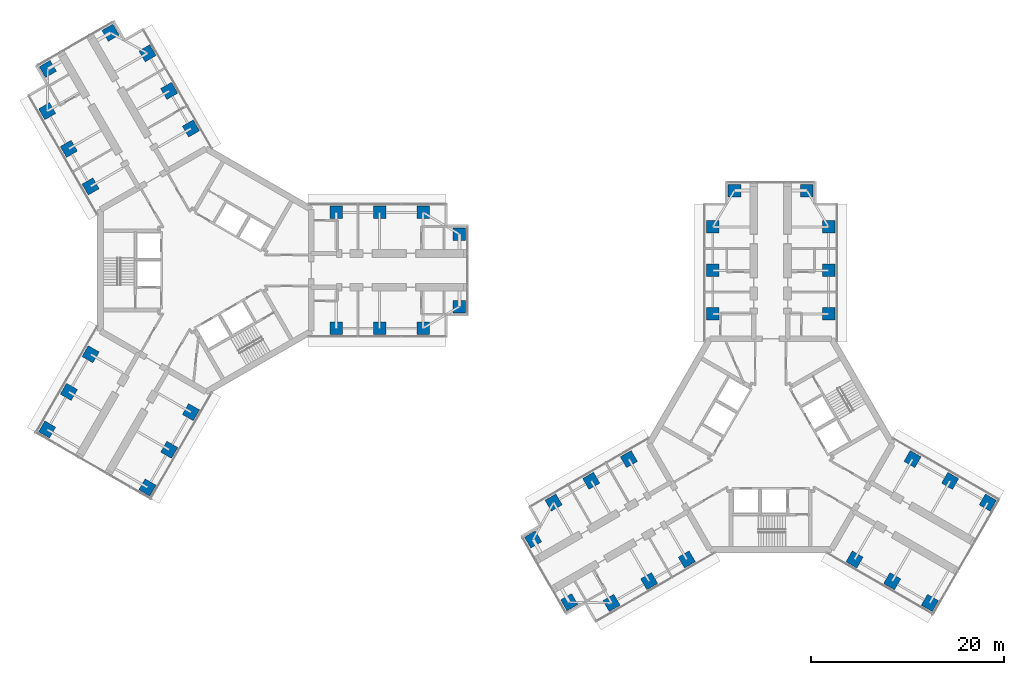
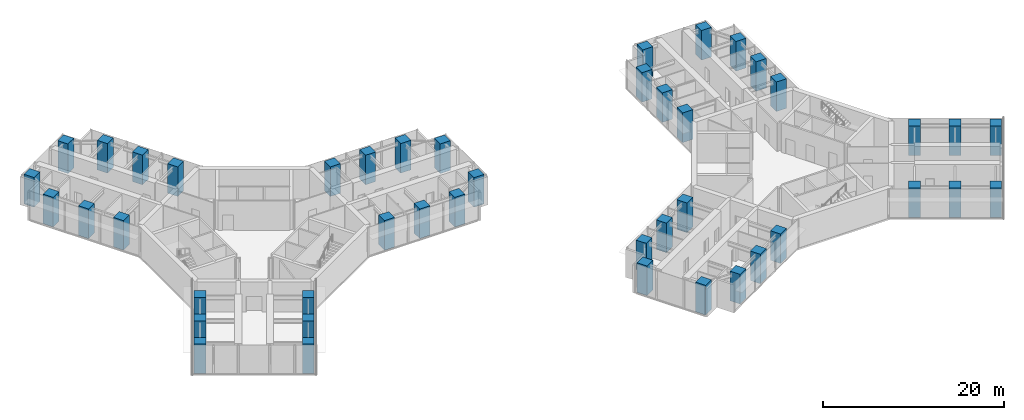
# One storey, part 1 of 22: 44 columns.
"""IFC4 building model written with IfcOpenShell, lengths in metres."""

from ifc_helpers import new_model, si_unit, direction, frame, origin, origin_2d, place, context, subcontext, project, spatial, rectangle, extrude, material, material_profile, profile_set, type_object, element, save


model = new_model("IFC4")

# Units and contexts
model_context = context("Model", 3, precision=1e-05, world=origin(), true_north=direction((0.0, 1.0)))
body_context = subcontext(model_context, "Body", "Model", "MODEL_VIEW")
ifc_project = project(units=[si_unit("LENGTHUNIT", "METRE"), si_unit("AREAUNIT", "SQUARE_METRE"), si_unit("VOLUMEUNIT", "CUBIC_METRE"), si_unit("PLANEANGLEUNIT", "RADIAN"), si_unit("MASSUNIT", "GRAM", prefix="KILO")], contexts=[model_context])

# Site, building, storey
site_placement = place(None, origin())
site = spatial("IfcSite", under=ifc_project, at=site_placement, CompositionType="ELEMENT")
building_placement = place(site_placement, origin())
building = spatial("IfcBuilding", under=site, at=building_placement, Name="Upepo Twin Towers", CompositionType="ELEMENT")
storey_placement = place(building_placement, frame((0.0, 0.0, 121.5)))
storey = spatial("IfcBuildingStorey", under=building, at=storey_placement, Name="L29", CompositionType="ELEMENT", Elevation=121.5)

# Columns
ifc_material = material(Name="Concrete C60/75", Category="concrete")
ifc_material_profile = material_profile(ifc_material, rectangle(XDim=1.300048828125, YDim=1.300048828125, at=origin_2d()), Name="RC 1300x1300")
ifc_profile_set = profile_set([ifc_material_profile], Name="Concrete C60/75")
column_type = type_object("IfcColumnType", Name="Tower column RC 1300x1300", PredefinedType="COLUMN", material=ifc_profile_set)
for number, where, z_axis, x_axis, name in (
    (1, (13.5, 6.0, 0.0), (0.0, 0.0, 1.0), (1.0, 0.0, 0.0), "T1 column AL135"),
    (2, (13.5, -6.0, 0.0), (0.0, 0.0, 1.0), (1.0, 0.0, 0.0), "T1 column AR135"),
    (3, (18.0, 6.0, 0.0), (0.0, 0.0, 1.0), (1.0, 0.0, 0.0), "T1 column AL180"),
    (4, (18.0, -6.0, 0.0), (0.0, 0.0, 1.0), (1.0, 0.0, 0.0), "T1 column AR180"),
    (5, (22.5, 6.0, 0.0), (0.0, 0.0, 1.0), (1.0, 0.0, 0.0), "T1 column AL225"),
    (6, (22.5, -6.0, 0.0), (0.0, 0.0, 1.0), (1.0, 0.0, 0.0), "T1 column AR225"),
    (7, (26.25, 3.75, 0.0), (0.0, 0.0, 1.0), (1.0, 0.0, 0.0), "T1 column ALN"),
    (8, (26.25, -3.75, 0.0), (0.0, 0.0, 1.0), (1.0, 0.0, 0.0), "T1 column ARN"),
    (9, (-11.946044921875, 8.69140625, 0.0), (0.0, 0.0, 1.0), (0.866025403784, 0.5, 0.0), "T1 column BL135"),
    (10, (-1.553955078125, 14.69140625, 0.0), (0.0, 0.0, 1.0), (0.866025403784, 0.5, 0.0), "T1 column BR135"),
    (11, (-14.196044921875, 12.58837890625, 0.0), (0.0, 0.0, 1.0), (0.866025403784, 0.5, 0.0), "T1 column BL180"),
    (12, (-3.803955078125, 18.58837890625, 0.0), (0.0, 0.0, 1.0), (0.866025403784, 0.5, 0.0), "T1 column BR180"),
    (13, (-16.446044921875, 16.485595703125, 0.0), (0.0, 0.0, 1.0), (0.866025403784, 0.5, 0.0), "T1 column BL225"),
    (14, (-6.053955078125, 22.485595703125, 0.0), (0.0, 0.0, 1.0), (0.866025403784, 0.5, 0.0), "T1 column BR225"),
    (15, (-16.37255859375, 20.858154296875, 0.0), (0.0, 0.0, 1.0), (0.866025403784, 0.5, 0.0), "T1 column BLN"),
    (16, (-9.87744140625, 24.608154296875, 0.0), (0.0, 0.0, 1.0), (0.866025403784, 0.5, 0.0), "T1 column BRN"),
    (17, (-1.553955078125, -14.69140625, 0.0), (0.0, 0.0, 1.0), (0.5, 0.866025403784, 0.0), "T1 column CL135"),
    (18, (-11.946044921875, -8.69140625, 0.0), (0.0, 0.0, 1.0), (0.5, 0.866025403784, 0.0), "T1 column CR135"),
    (19, (-3.803955078125, -18.58837890625, 0.0), (0.0, 0.0, 1.0), (0.5, 0.866025403784, 0.0), "T1 column CL180"),
    (20, (-14.196044921875, -12.58837890625, 0.0), (0.0, 0.0, 1.0), (0.5, 0.866025403784, 0.0), "T1 column CR180"),
    (21, (-6.053955078125, -22.485595703125, 0.0), (0.0, 0.0, 1.0), (0.5, 0.866025403784, 0.0), "T1 column CL225"),
    (22, (-16.446044921875, -16.485595703125, 0.0), (0.0, 0.0, 1.0), (0.5, 0.866025403784, 0.0), "T1 column CR225"),
    (23, (52.5, -4.5, 0.0), (0.0, 0.0, 1.0), (1.0, 0.0, 0.0), "T2 column AL135"),
    (24, (64.5, -4.5, 0.0), (0.0, 0.0, 1.0), (1.0, 0.0, 0.0), "T2 column AR135"),
    (25, (52.5, 0.0, 0.0), (0.0, 0.0, 1.0), (1.0, 0.0, 0.0), "T2 column AL180"),
    (26, (64.5, 0.0, 0.0), (0.0, 0.0, 1.0), (1.0, 0.0, 0.0), "T2 column AR180"),
    (27, (52.5, 4.5, 0.0), (0.0, 0.0, 1.0), (1.0, 0.0, 0.0), "T2 column AL225"),
    (28, (64.5, 4.5, 0.0), (0.0, 0.0, 1.0), (1.0, 0.0, 0.0), "T2 column AR225"),
    (29, (54.75, 8.25, 0.0), (0.0, 0.0, 1.0), (1.0, 0.0, 0.0), "T2 column ALN"),
    (30, (62.25, 8.25, 0.0), (0.0, 0.0, 1.0), (1.0, 0.0, 0.0), "T2 column ARN"),
    (31, (49.80859375, -29.946044921875, 0.0), (0.0, 0.0, 1.0), (0.866025403784, 0.5, 0.0), "T2 column BL135"),
    (32, (43.80859375, -19.553955078125, 0.0), (0.0, 0.0, 1.0), (0.866025403784, 0.5, 0.0), "T2 column BR135"),
    (33, (45.91162109375, -32.196044921875, 0.0), (0.0, 0.0, 1.0), (0.866025403784, 0.5, 0.0), "T2 column BL180"),
    (34, (39.91162109375, -21.803955078125, 0.0), (0.0, 0.0, 1.0), (0.866025403784, 0.5, 0.0), "T2 column BR180"),
    (35, (42.014404296875, -34.446044921875, 0.0), (0.0, 0.0, 1.0), (0.866025403784, 0.5, 0.0), "T2 column BL225"),
    (36, (36.014404296875, -24.053955078125, 0.0), (0.0, 0.0, 1.0), (0.866025403784, 0.5, 0.0), "T2 column BR225"),
    (37, (37.641845703125, -34.37255859375, 0.0), (0.0, 0.0, 1.0), (0.866025403784, 0.5, 0.0), "T2 column BLN"),
    (38, (33.891845703125, -27.87744140625, 0.0), (0.0, 0.0, 1.0), (0.866025403784, 0.5, 0.0), "T2 column BRN"),
    (39, (73.19140625, -19.553955078125, 0.0), (0.0, 0.0, 1.0), (0.5, 0.866025403784, 0.0), "T2 column CL135"),
    (40, (67.19140625, -29.946044921875, 0.0), (0.0, 0.0, 1.0), (0.5, 0.866025403784, 0.0), "T2 column CR135"),
    (41, (77.08837890625, -21.803955078125, 0.0), (0.0, 0.0, 1.0), (0.5, 0.866025403784, 0.0), "T2 column CL180"),
    (42, (71.08837890625, -32.196044921875, 0.0), (0.0, 0.0, 1.0), (0.5, 0.866025403784, 0.0), "T2 column CR180"),
    (43, (80.985595703125, -24.053955078125, 0.0), (0.0, 0.0, 1.0), (0.5, 0.866025403784, 0.0), "T2 column CL225"),
    (44, (74.985595703125, -34.446044921875, 0.0), (0.0, 0.0, 1.0), (0.5, 0.866025403784, 0.0), "T2 column CR225"),
):
    element("IfcColumn", number, at=place(storey_placement, frame(where, z_axis=z_axis, x_axis=x_axis)), inside=storey, type_object=column_type, Name=name, PredefinedType="COLUMN", context=body_context, shape_type="SweptSolid", body=[
        extrude(rectangle(XDim=1.300048828125, YDim=1.300048828125, at=origin_2d()), origin(), (0.0, 0.0, 1.0), 4.0),
    ])

save(model, "model.ifc")
